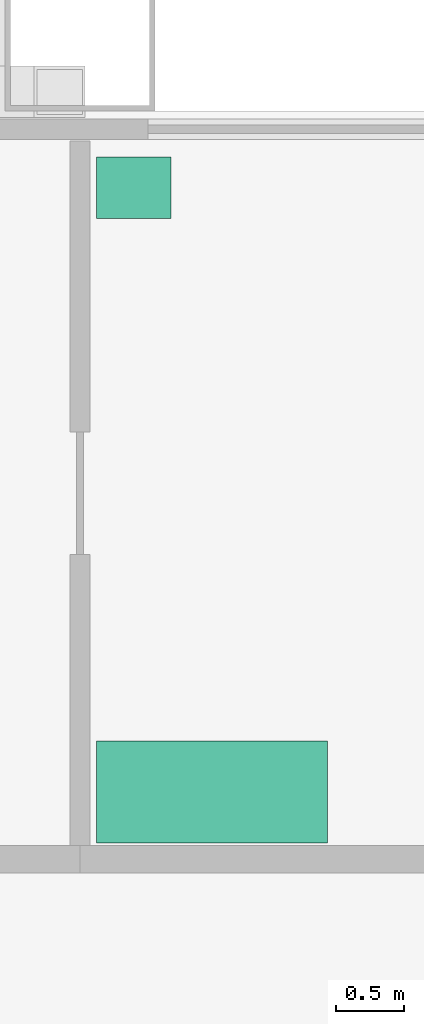
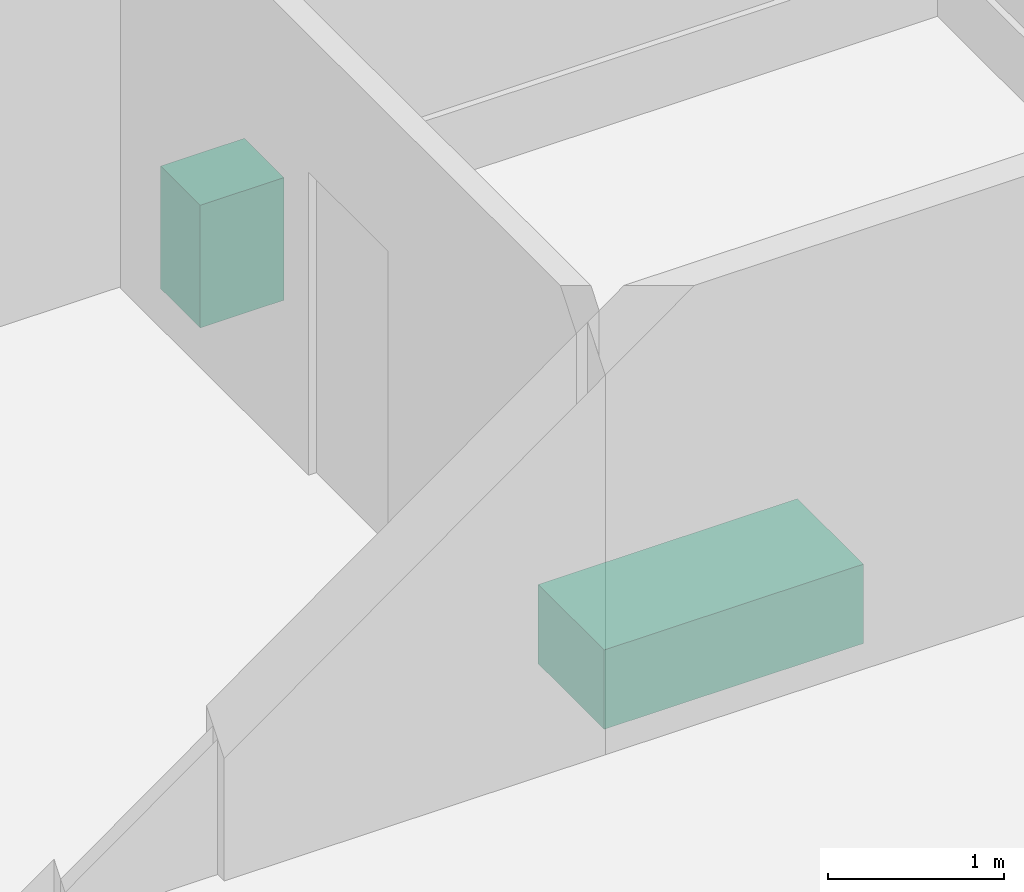
# One storey, part 7 of 7: 2 sanitary terminals.
"""IFC4 building model written with IfcOpenShell, lengths in metres."""

from ifc_helpers import new_model, si_unit, direction, frame, origin, origin_2d, place, context, subcontext, project, spatial, rectangle, extrude, material, type_object, element, save


model = new_model("IFC4")

# Units and contexts
model_context = context("Model", 3, precision=1e-05, world=origin(), true_north=direction((0.0, 1.0)))
body_context = subcontext(model_context, "Body", "Model", "MODEL_VIEW")
ifc_project = project(units=[si_unit("LENGTHUNIT", "METRE"), si_unit("AREAUNIT", "SQUARE_METRE"), si_unit("VOLUMEUNIT", "CUBIC_METRE"), si_unit("PLANEANGLEUNIT", "RADIAN"), si_unit("MASSUNIT", "GRAM", prefix="KILO")], contexts=[model_context])

# Site, building, storey
site_placement = place(None, origin())
site = spatial("IfcSite", under=ifc_project, at=site_placement, CompositionType="ELEMENT")
building_placement = place(site_placement, origin())
building = spatial("IfcBuilding", under=site, at=building_placement, Name="Kitamizu Gate Tower and Museum", CompositionType="ELEMENT")
storey_placement = place(building_placement, frame((0.0, 0.0, 238.64990234375)))
storey = spatial("IfcBuildingStorey", under=building, at=storey_placement, Name="L64", CompositionType="ELEMENT", Elevation=238.64990234375)

# Sanitary terminals
ifc_material_1 = material(Name="Acrylic")
sanitary_terminal_type_1 = type_object("IfcSanitaryTerminalType", Name="Bath", PredefinedType="BATH", material=ifc_material_1)
sanitary_terminal_1_placement = place(storey_placement, frame((48.969970703125, 42.4951171875, 0.0009765625), z_axis=(0.0, 0.0, 1.0), x_axis=(1.0, 0.0, 0.0)))
element("IfcSanitaryTerminal", 1, at=sanitary_terminal_1_placement, inside=storey, type_object=sanitary_terminal_type_1, Name="Bath Bathroom and WC 64B", PredefinedType="BATH", context=body_context, shape_type="SweptSolid", body=[
    extrude(rectangle(XDim=1.699951171875, YDim=0.75, at=origin_2d()), origin(), (0.0, 0.0, 1.0), 0.550048828125),
])
ifc_material_2 = material(Name="Vitreous china")
sanitary_terminal_type_2 = type_object("IfcSanitaryTerminalType", Name="Wash hand basin", PredefinedType="WASHHANDBASIN", material=ifc_material_2)
sanitary_terminal_2_placement = place(storey_placement, frame((48.39501953125, 46.93505859375, 0.0009765625), z_axis=(0.0, 0.0, 1.0), x_axis=(1.0, 0.0, 0.0)))
element("IfcSanitaryTerminal", 2, at=sanitary_terminal_2_placement, inside=storey, type_object=sanitary_terminal_type_2, Name="Wash hand basin Bathroom and WC 64B", PredefinedType="WASHHANDBASIN", context=body_context, shape_type="SweptSolid", body=[
    extrude(rectangle(XDim=0.550048828125, YDim=0.449951171875, at=origin_2d()), origin(), (0.0, 0.0, 1.0), 0.85009765625),
])

save(model, "model.ifc")
